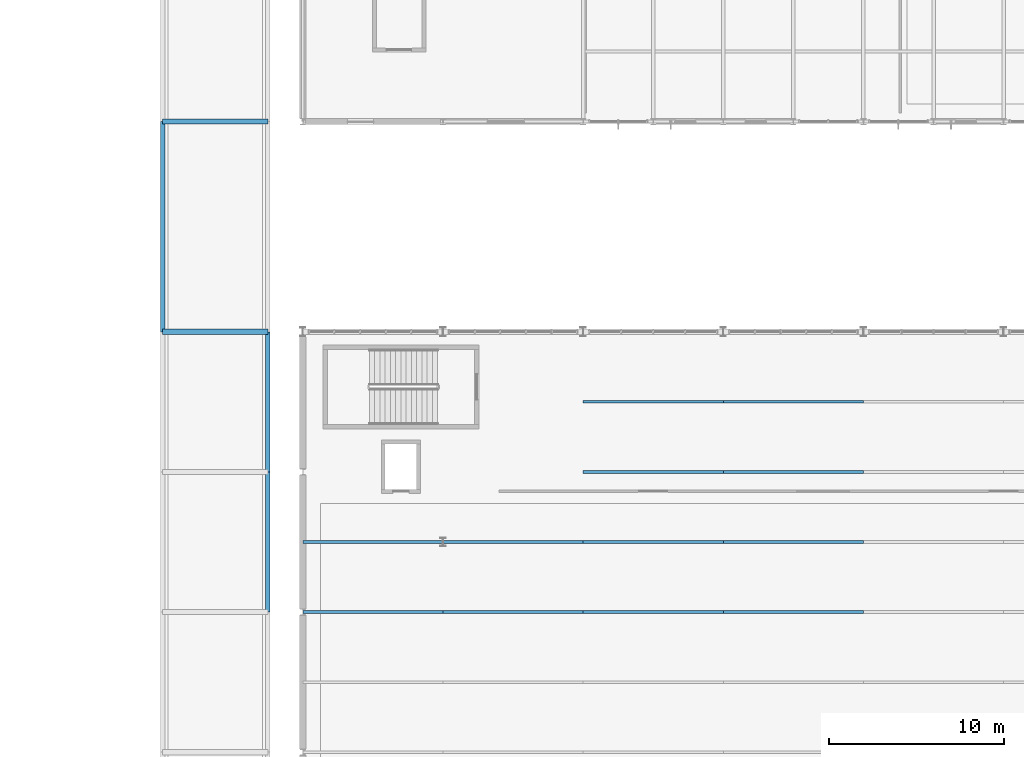
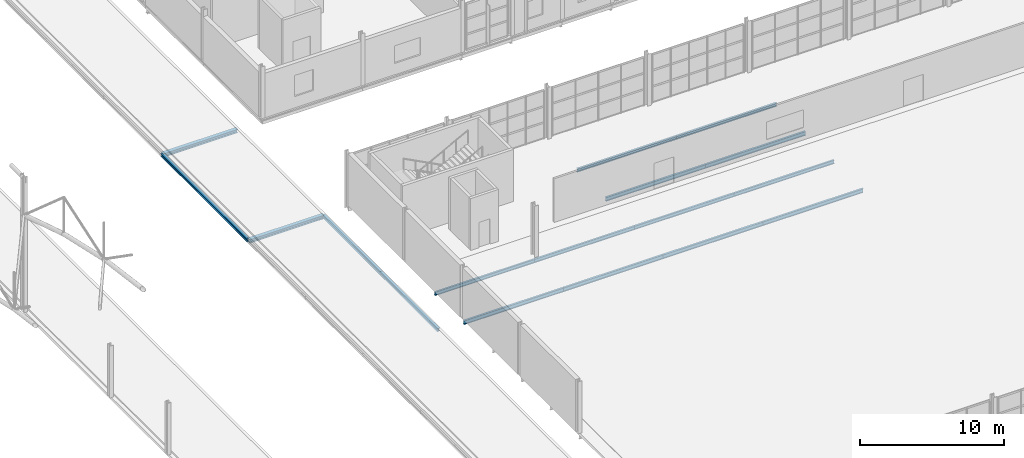
# One storey, part 76 of 153: 17 beams.
"""IFC4 building model written with IfcOpenShell, lengths in metres."""

from ifc_helpers import new_model, si_unit, derived_unit, direction, frame, origin, origin_2d, place, context, subcontext, project, spatial, i_section, extrude, material, material_profile, profile_set, type_object, element, save


model = new_model("IFC4")

# Units and contexts
model_context = context("Model", 3, precision=1e-05, world=origin(), true_north=direction((0.0, 1.0)))
body_context = subcontext(model_context, "Body", "Model", "MODEL_VIEW")
ifc_project = project(units=[si_unit("LENGTHUNIT", "METRE"), si_unit("AREAUNIT", "SQUARE_METRE"), si_unit("VOLUMEUNIT", "CUBIC_METRE"), si_unit("PLANEANGLEUNIT", "RADIAN"), si_unit("MASSUNIT", "GRAM", prefix="KILO"), derived_unit("THERMALTRANSMITTANCEUNIT", [(si_unit("POWERUNIT", "WATT"), 1), (si_unit("LENGTHUNIT", "METRE"), -2), (si_unit("THERMODYNAMICTEMPERATUREUNIT", "KELVIN"), -1)])], contexts=[model_context])

# Site, building, storey
site_placement = place(None, origin())
site = spatial("IfcSite", under=ifc_project, at=site_placement, CompositionType="ELEMENT")
building_placement = place(site_placement, origin())
building = spatial("IfcBuilding", under=site, at=building_placement, Name="Keldorne Ridge Multi-Sports Centre", CompositionType="ELEMENT")
storey_placement = place(building_placement, frame((0.0, 0.0, 9.60009765625)))
storey = spatial("IfcBuildingStorey", under=building, at=storey_placement, Name="L02", CompositionType="ELEMENT", Elevation=9.60009765625)

# Beams
ifc_material = material(Name="Steel S355", Category="steel")
ifc_material_profile_1 = material_profile(ifc_material, i_section(OverallWidth=0.300048828125, OverallDepth=0.300048828125, WebThickness=0.010986328125, FlangeThickness=0.01904296875, FilletRadius=0.027099609375, at=origin_2d()), Name="HEB 300")
ifc_profile_set_1 = profile_set([ifc_material_profile_1], Name="Steel S355")
beam_type_1 = type_object("IfcBeamType", Name="BM-B-14", PredefinedType="BEAM", material=ifc_profile_set_1)
for number, where, z_axis, x_axis, name in (
    (1, (96.0, 54.0, -0.380126953125), (1.0, 0.0, 0.0), (0.0, 1.0, 0.0), "L02 east skirt roof beam 7"),
    (2, (96.0, 66.0, -0.380126953125), (1.0, 0.0, 0.0), (0.0, 1.0, 0.0), "L02 east skirt roof beam 8"),
):
    element("IfcBeam", number, at=place(storey_placement, frame(where, z_axis=z_axis, x_axis=x_axis)), inside=storey, type_object=beam_type_1, Name=name, PredefinedType="BEAM", context=body_context, shape_type="SweptSolid", body=[
        extrude(i_section(OverallWidth=0.300048828125, OverallDepth=0.300048828125, WebThickness=0.010986328125, FlangeThickness=0.01904296875, FilletRadius=0.027099609375, at=origin_2d()), origin(), (0.0, 0.0, 1.0), 6.0),
    ])
ifc_material_profile_2 = material_profile(ifc_material, i_section(OverallWidth=0.159912109375, OverallDepth=0.330078125, WebThickness=0.007568359375, FlangeThickness=0.011474609375, FilletRadius=0.01806640625, at=origin_2d()), Name="IPE 330")
ifc_profile_set_2 = profile_set([ifc_material_profile_2], Name="Steel S355")
beam_type_2 = type_object("IfcBeamType", Name="BM-J-01", PredefinedType="JOIST", material=ifc_profile_set_2)
for number, where, z_axis, x_axis, name in (
    (3, (104.0, 38.0, -0.405029296875), (1.0, 0.0, 0.0), (0.0, 1.0, 0.0), "L02 Stacked Courts beam 1.9"),
    (4, (112.0, 38.0, -0.405029296875), (1.0, 0.0, 0.0), (0.0, 1.0, 0.0), "L02 Stacked Courts beam 2.9"),
    (5, (120.0, 38.0, -0.405029296875), (1.0, 0.0, 0.0), (0.0, 1.0, 0.0), "L02 Stacked Courts beam 3.9"),
    (6, (120.0, 46.0, -0.405029296875), (1.0, 0.0, 0.0), (0.0, 1.0, 0.0), "L02 Stacked Courts beam 3.11"),
    (7, (128.0, 38.0, -0.405029296875), (1.0, 0.0, 0.0), (0.0, 1.0, 0.0), "L02 Stacked Courts beam 4.9"),
    (8, (128.0, 46.0, -0.405029296875), (1.0, 0.0, 0.0), (0.0, 1.0, 0.0), "L02 Stacked Courts beam 4.11"),
):
    element("IfcBeam", number, at=place(storey_placement, frame(where, z_axis=z_axis, x_axis=x_axis)), inside=storey, type_object=beam_type_2, Name=name, PredefinedType="JOIST", context=body_context, shape_type="SweptSolid", body=[
        extrude(i_section(OverallWidth=0.159912109375, OverallDepth=0.330078125, WebThickness=0.007568359375, FlangeThickness=0.011474609375, FilletRadius=0.01806640625, at=origin_2d()), origin(), (0.0, 0.0, 1.0), 8.0),
    ])
ifc_material_profile_3 = material_profile(ifc_material, i_section(OverallWidth=0.14990234375, OverallDepth=0.300048828125, WebThickness=0.007080078125, FlangeThickness=0.0107421875, FilletRadius=0.014892578125, at=origin_2d()), Name="IPE 300")
ifc_profile_set_3 = profile_set([ifc_material_profile_3], Name="Steel S355")
beam_type_3 = type_object("IfcBeamType", Name="BM-J-02", PredefinedType="JOIST", material=ifc_profile_set_3)
for number, where, z_axis, x_axis, name in (
    (9, (104.0, 42.0, -0.39013671875), (1.0, 0.0, 0.0), (0.0, 1.0, 0.0), "L02 Stacked Courts beam 1.10"),
    (10, (112.0, 42.0, -0.39013671875), (1.0, 0.0, 0.0), (0.0, 1.0, 0.0), "L02 Stacked Courts beam 2.10"),
    (11, (120.0, 42.0, -0.39013671875), (1.0, 0.0, 0.0), (0.0, 1.0, 0.0), "L02 Stacked Courts beam 3.10"),
    (12, (120.0, 50.0, -0.39013671875), (1.0, 0.0, 0.0), (0.0, 1.0, 0.0), "L02 Stacked Courts beam 3.12"),
    (13, (128.0, 42.0, -0.39013671875), (1.0, 0.0, 0.0), (0.0, 1.0, 0.0), "L02 Stacked Courts beam 4.10"),
    (14, (128.0, 50.0, -0.39013671875), (1.0, 0.0, 0.0), (0.0, 1.0, 0.0), "L02 Stacked Courts beam 4.12"),
):
    element("IfcBeam", number, at=place(storey_placement, frame(where, z_axis=z_axis, x_axis=x_axis)), inside=storey, type_object=beam_type_3, Name=name, PredefinedType="JOIST", context=body_context, shape_type="SweptSolid", body=[
        extrude(i_section(OverallWidth=0.14990234375, OverallDepth=0.300048828125, WebThickness=0.007080078125, FlangeThickness=0.0107421875, FilletRadius=0.014892578125, at=origin_2d()), origin(), (0.0, 0.0, 1.0), 8.0),
    ])
ifc_material_profile_4 = material_profile(ifc_material, i_section(OverallWidth=0.239990234375, OverallDepth=0.22998046875, WebThickness=0.007568359375, FlangeThickness=0.011962890625, FilletRadius=0.02099609375, at=origin_2d()), Name="HEA 240")
ifc_profile_set_4 = profile_set([ifc_material_profile_4], Name="Steel S355")
beam_type_4 = type_object("IfcBeamType", Name="BM-SP-05", PredefinedType="SPANDREL", material=ifc_profile_set_4)
for number, where, z_axis, x_axis, name in (
    (15, (102.0, 38.0, -0.34521484375), (0.0, 1.0, 0.0), (-1.0, 0.0, 0.0), "L02 passage roof beam G15.5"),
    (16, (102.0, 46.0, -0.34521484375), (0.0, 1.0, 0.0), (-1.0, 0.0, 0.0), "L02 passage roof beam G15.6"),
):
    element("IfcBeam", number, at=place(storey_placement, frame(where, z_axis=z_axis, x_axis=x_axis)), inside=storey, type_object=beam_type_4, Name=name, PredefinedType="SPANDREL", context=body_context, shape_type="SweptSolid", body=[
        extrude(i_section(OverallWidth=0.239990234375, OverallDepth=0.22998046875, WebThickness=0.007568359375, FlangeThickness=0.011962890625, FilletRadius=0.02099609375, at=origin_2d()), origin(), (0.0, 0.0, 1.0), 8.0),
    ])
beam_placement = place(storey_placement, frame((96.0, 54.0, -0.34521484375), z_axis=(0.0, 1.0, 0.0), x_axis=(-1.0, 0.0, 0.0)))
element("IfcBeam", 17, at=beam_placement, inside=storey, type_object=beam_type_4, Name="L02 passage roof beam G14.7", PredefinedType="SPANDREL", context=body_context, shape_type="SweptSolid", body=[
    extrude(i_section(OverallWidth=0.239990234375, OverallDepth=0.22998046875, WebThickness=0.007568359375, FlangeThickness=0.011962890625, FilletRadius=0.02099609375, at=origin_2d()), origin(), (0.0, 0.0, 1.0), 12.0),
])

save(model, "model.ifc")
